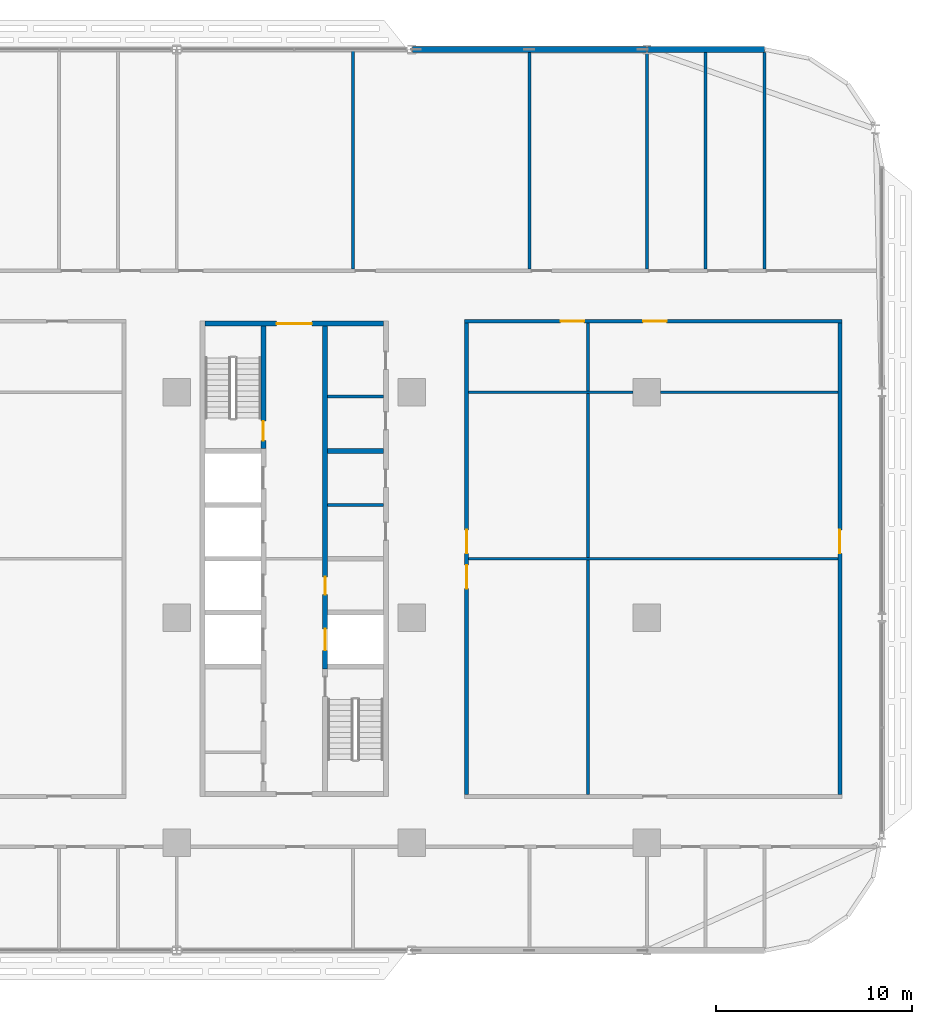
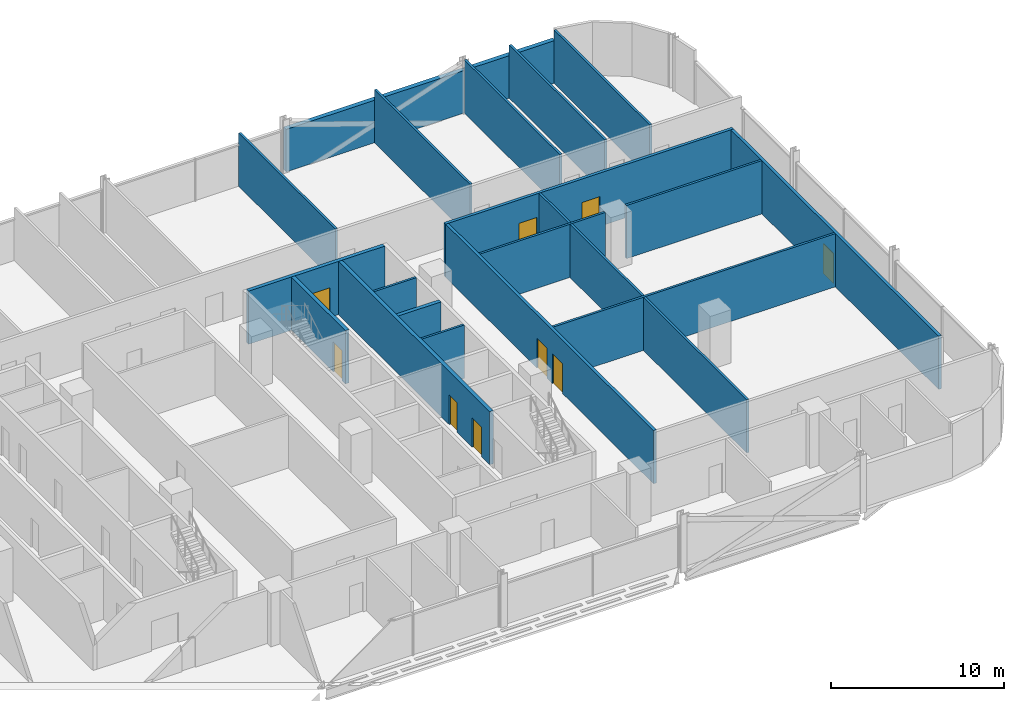
# One storey, part 17 of 29: 20 walls, 9 doors, 9 openings.
"""IFC4 building model written with IfcOpenShell, lengths in metres."""

from ifc_helpers import new_model, si_unit, direction, frame, frame_2d, origin, place, context, subcontext, project, spatial, rectangle, extrude, material, layer, layer_set, type_object, element, fill, save


model = new_model("IFC4")

# Units and contexts
model_context = context("Model", 3, precision=1e-05, world=origin(), true_north=direction((0.0, 1.0)))
body_context = subcontext(model_context, "Body", "Model", "MODEL_VIEW")
ifc_project = project(units=[si_unit("LENGTHUNIT", "METRE"), si_unit("AREAUNIT", "SQUARE_METRE"), si_unit("VOLUMEUNIT", "CUBIC_METRE"), si_unit("PLANEANGLEUNIT", "RADIAN"), si_unit("MASSUNIT", "GRAM", prefix="KILO")], contexts=[model_context])

# Site, building, storey
site_placement = place(None, origin())
site = spatial("IfcSite", under=ifc_project, at=site_placement, CompositionType="ELEMENT")
building_placement = place(site_placement, origin())
building = spatial("IfcBuilding", under=site, at=building_placement, Name="Mahtab Terrace Research Tower", CompositionType="ELEMENT")
storey_placement = place(building_placement, frame((0.0, 0.0, 109.39990234375)))
storey = spatial("IfcBuildingStorey", under=building, at=storey_placement, Name="L25", CompositionType="ELEMENT", Elevation=109.39990234375)

# Walls
ifc_material_1 = material(Name="Gypsum board partition")
ifc_layer_1 = layer(ifc_material_1, 0.14990234375)
ifc_layer_set_1 = layer_set([ifc_layer_1], Name="Core partition 150")
wall_type_1 = type_object("IfcWallType", Name="Core partition 150", PredefinedType="PARTITIONING", material=ifc_layer_set_1)
for number, where, z_axis, x_axis, name in (
    (1, (25.699951171875, 5.75, 0.0), (0.0, 0.0, 1.0), (1.0, 0.0, 0.0), "Core wall C pEL275"),
    (2, (25.699951171875, 11.27490234375, 0.0), (0.0, 0.0, 1.0), (1.0, 0.0, 0.0), "Core wall C pEN828"),
):
    element("IfcWall", number, at=place(storey_placement, frame(where, z_axis=z_axis, x_axis=x_axis)), inside=storey, type_object=wall_type_1, Name=name, PredefinedType="PARTITIONING", context=body_context, shape_type="SweptSolid", body=[
        extrude(rectangle(XDim=2.85009765625, YDim=0.14990234375, at=frame_2d((1.425048828125, 0.0))), origin(), (0.0, 0.0, 1.0), 3.760009765625),
    ])

# Wall, opening, door
ifc_material_2 = material(Name="Concrete C70/85", Category="concrete")
ifc_layer_2 = layer(ifc_material_2, 0.25)
ifc_layer_set_2 = layer_set([ifc_layer_2], Name="Core wall 250")
wall_type_2 = type_object("IfcWallType", Name="Core wall 250", PredefinedType="SOLIDWALL", material=ifc_layer_set_2)
wall_1_placement = place(storey_placement, frame((19.449951171875, 15.0, 0.0), z_axis=(0.0, 0.0, 1.0), x_axis=(1.0, 0.0, 0.0)))
wall_1 = element("IfcWall", 3, at=wall_1_placement, inside=storey, type_object=wall_type_2, Name="Core wall C endN", PredefinedType="SOLIDWALL", context=body_context, shape_type="SweptSolid", body=[
    extrude(rectangle(XDim=9.10009765625, YDim=0.25, at=frame_2d((4.550048828125, 0.0))), origin(), (0.0, 0.0, 1.0), 3.760009765625),
])
opening_1_placement = place(wall_1_placement, frame((3.64990234375, 0.0, 0.0)))
opening_1 = element("IfcOpeningElement", 4, at=opening_1_placement, cuts=wall_1, Name="Opening C-N1", PredefinedType="OPENING", context=body_context, shape_type="SweptSolid", body=[
    extrude(rectangle(XDim=1.800048828125, YDim=2.10009765625, at=frame_2d((0.89990234375, 1.050048828125))), frame((0.0, 0.135009765625, 0.0), z_axis=(0.0, -1.0, 0.0), x_axis=(1.0, 0.0, 0.0)), (0.0, 0.0, 1.0), 0.27001953125),
])
ifc_material_3 = material(Name="Steel fire door", Category="steel")
door_type_1 = type_object("IfcDoorType", Name="Lobby double door 1800x2100 1 HR", OperationType="DOUBLE_DOOR_SINGLE_SWING", PredefinedType="DOOR", material=ifc_material_3)
door_1_placement = place(opening_1_placement, origin())
door_1 = element("IfcDoor", 5, at=door_1_placement, inside=storey, type_object=door_type_1, Name="Core entrance door C N", OperationType="DOUBLE_DOOR_SINGLE_SWING", OverallHeight=2.10009765625, OverallWidth=1.800048828125, PredefinedType="DOOR", context=body_context, shape_type="SweptSolid", body=[
    extrude(rectangle(XDim=1.800048828125, YDim=2.10009765625, at=frame_2d((0.89990234375, 1.050048828125))), frame((0.0, 0.02490234375, 0.0), z_axis=(0.0, -1.0, 0.0), x_axis=(1.0, 0.0, 0.0)), (0.0, 0.0, 1.0), 0.050048828125),
])
fill(opening_1, door_1)

wall_2_placement = place(storey_placement, frame((22.425048828125, 14.875, 0.0), z_axis=(0.0, 0.0, 1.0), x_axis=(0.0, -1.0, 0.0)))
wall_2 = element("IfcWall", 6, at=wall_2_placement, inside=storey, type_object=wall_type_2, Name="Core wall C innerWN", PredefinedType="SOLIDWALL", context=body_context, shape_type="SweptSolid", body=[
    extrude(rectangle(XDim=6.25, YDim=0.25, at=frame_2d((3.125, 0.0))), origin(), (0.0, 0.0, 1.0), 3.760009765625),
])
opening_2_placement = place(wall_2_placement, frame((4.85009765625, 0.0, 0.0)))
opening_2 = element("IfcOpeningElement", 7, at=opening_2_placement, cuts=wall_2, Name="Opening C-ST3", PredefinedType="OPENING", context=body_context, shape_type="SweptSolid", body=[
    extrude(rectangle(XDim=1.0, YDim=2.10009765625, at=frame_2d((0.5, 1.050048828125))), frame((0.0, 0.135009765625, 0.0), z_axis=(0.0, -1.0, 0.0), x_axis=(1.0, 0.0, 0.0)), (0.0, 0.0, 1.0), 0.27001953125),
])
door_type_2 = type_object("IfcDoorType", Name="Stair door 1000x2100 1.5 HR", OperationType="NOTDEFINED", PredefinedType="DOOR", material=ifc_material_3)
door_2_placement = place(opening_2_placement, origin())
door_2 = element("IfcDoor", 8, at=door_2_placement, inside=storey, type_object=door_type_2, Name="Stair door ST3 L25", OperationType="SINGLE_SWING_RIGHT", OverallHeight=2.10009765625, OverallWidth=1.0, PredefinedType="DOOR", context=body_context, shape_type="SweptSolid", body=[
    extrude(rectangle(XDim=1.0, YDim=2.10009765625, at=frame_2d((0.5, 1.050048828125))), frame((0.0, 0.02490234375, 0.0), z_axis=(0.0, -1.0, 0.0), x_axis=(1.0, 0.0, 0.0)), (0.0, 0.0, 1.0), 0.050048828125),
])
fill(opening_2, door_2)

# Wall, openings, doors
wall_3_placement = place(storey_placement, frame((25.574951171875, 14.875, 0.0), z_axis=(0.0, 0.0, 1.0), x_axis=(0.0, -1.0, 0.0)))
wall_3 = element("IfcWall", 9, at=wall_3_placement, inside=storey, type_object=wall_type_2, Name="Core wall C innerELN", PredefinedType="SOLIDWALL", context=body_context, shape_type="SweptSolid", body=[
    extrude(rectangle(XDim=17.5, YDim=0.25, at=frame_2d((8.75, 0.0))), origin(), (0.0, 0.0, 1.0), 3.760009765625),
])
opening_3_placement = place(wall_3_placement, frame((15.449951171875, 0.0, 0.0)))
opening_3 = element("IfcOpeningElement", 10, at=opening_3_placement, cuts=wall_3, Name="Opening LD21-L25", PredefinedType="OPENING", context=body_context, shape_type="SweptSolid", body=[
    extrude(rectangle(XDim=1.10009765625, YDim=2.10009765625, at=frame_2d((0.550048828125, 1.050048828125))), frame((0.0, 0.135009765625, 0.0), z_axis=(0.0, -1.0, 0.0), x_axis=(1.0, 0.0, 0.0)), (0.0, 0.0, 1.0), 0.27001953125),
])
opening_4_placement = place(wall_3_placement, frame((12.800048828125, 0.0, 0.0)))
opening_4 = element("IfcOpeningElement", 11, at=opening_4_placement, cuts=wall_3, Name="Opening C-R1", PredefinedType="OPENING", context=body_context, shape_type="SweptSolid", body=[
    extrude(rectangle(XDim=0.89990234375, YDim=2.10009765625, at=frame_2d((0.449951171875, 1.050048828125))), frame((0.0, 0.135009765625, 0.0), z_axis=(0.0, -1.0, 0.0), x_axis=(1.0, 0.0, 0.0)), (0.0, 0.0, 1.0), 0.27001953125),
])
ifc_material_4 = material(Name="Stainless steel AISI 304", Category="steel")
door_type_3 = type_object("IfcDoorType", Name="Landing door 1100x2100", OperationType="DOUBLE_DOOR_SLIDING", PredefinedType="DOOR", material=ifc_material_4)
door_3_placement = place(opening_3_placement, origin())
door_3 = element("IfcDoor", 12, at=door_3_placement, inside=storey, type_object=door_type_3, Name="Landing door SV3 L25", OperationType="DOUBLE_DOOR_SLIDING", OverallHeight=2.10009765625, OverallWidth=1.10009765625, PredefinedType="DOOR", context=body_context, shape_type="SweptSolid", body=[
    extrude(rectangle(XDim=1.10009765625, YDim=2.10009765625, at=frame_2d((0.550048828125, 1.050048828125))), frame((0.0, 0.02490234375, 0.0), z_axis=(0.0, -1.0, 0.0), x_axis=(1.0, 0.0, 0.0)), (0.0, 0.0, 1.0), 0.050048828125),
])
fill(opening_3, door_3)
door_type_4 = type_object("IfcDoorType", Name="Room door 900x2100 1 HR", OperationType="NOTDEFINED", PredefinedType="DOOR", material=ifc_material_3)
door_4_placement = place(opening_4_placement, origin())
door_4 = element("IfcDoor", 13, at=door_4_placement, inside=storey, type_object=door_type_4, Name="Plant room door", OperationType="SINGLE_SWING_LEFT", OverallHeight=2.10009765625, OverallWidth=0.89990234375, PredefinedType="DOOR", context=body_context, shape_type="SweptSolid", body=[
    extrude(rectangle(XDim=0.89990234375, YDim=2.10009765625, at=frame_2d((0.449951171875, 1.050048828125))), frame((0.0, 0.02490234375, 0.0), z_axis=(0.0, -1.0, 0.0), x_axis=(1.0, 0.0, 0.0)), (0.0, 0.0, 1.0), 0.050048828125),
])
fill(opening_4, door_4)

# Walls
wall_4_placement = place(storey_placement, frame((25.699951171875, 8.5, 0.0), z_axis=(0.0, 0.0, 1.0), x_axis=(1.0, 0.0, 0.0)))
element("IfcWall", 14, at=wall_4_placement, inside=storey, type_object=wall_type_2, Name="Core wall C divE4", PredefinedType="SOLIDWALL", context=body_context, shape_type="SweptSolid", body=[
    extrude(rectangle(XDim=2.85009765625, YDim=0.25, at=frame_2d((1.425048828125, 0.0))), origin(), (0.0, 0.0, 1.0), 3.760009765625),
])
ifc_material_5 = material(Name="Black aluminium cladding panel", Category="aluminium")
ifc_layer_3 = layer(ifc_material_5, 0.300048828125)
ifc_layer_set_3 = layer_set([ifc_layer_3], Name="Opaque facade wall 300")
wall_type_3 = type_object("IfcWallType", Name="Opaque facade wall 300", PredefinedType="NOTDEFINED", material=ifc_layer_set_3)
wall_5_placement = place(storey_placement, frame((48.0, 29.0, 0.0), z_axis=(0.0, 0.0, 1.0), x_axis=(-1.0, 0.0, 0.0)))
element("IfcWall", 15, at=wall_5_placement, inside=storey, type_object=wall_type_3, Name="Opaque facade wall L25 N3", PredefinedType="NOTDEFINED", context=body_context, shape_type="SweptSolid", body=[
    extrude(rectangle(XDim=5.97900390625, YDim=0.300048828125, at=frame_2d((2.989501953125, 0.0))), origin(), (0.0, 0.0, 1.0), 3.003173828125),
])
wall_6_placement = place(storey_placement, frame((41.97900390625, 29.0, 0.0), z_axis=(0.0, 0.0, 1.0), x_axis=(-1.0, 0.0, 0.0)))
element("IfcWall", 16, at=wall_6_placement, inside=storey, type_object=wall_type_3, Name="Opaque facade wall L25 N4", PredefinedType="NOTDEFINED", context=body_context, shape_type="SweptSolid", body=[
    extrude(rectangle(XDim=11.9580078125, YDim=0.300048828125, at=frame_2d((5.97900390625, 0.0))), origin(), (0.0, 0.0, 1.0), 3.003173828125),
])

# Wall, openings, doors
ifc_material_6 = material(Name="Gypsum board corridor wall on steel studs", Category="steel")
ifc_layer_4 = layer(ifc_material_6, 0.199951171875)
ifc_layer_set_4 = layer_set([ifc_layer_4], Name="WALL CORRIDOR 200")
wall_type_4 = type_object("IfcWallType", Name="WALL CORRIDOR 200", PredefinedType="PARTITIONING", material=ifc_layer_set_4)
wall_7_placement = place(storey_placement, frame((32.699951171875, 15.125, 0.0), z_axis=(0.0, 0.0, 1.0), x_axis=(1.0, 0.0, 0.0)))
wall_7 = element("IfcWall", 17, at=wall_7_placement, inside=storey, type_object=wall_type_4, Name="L25-W025", PredefinedType="PARTITIONING", context=body_context, shape_type="SweptSolid", body=[
    extrude(rectangle(XDim=19.25, YDim=0.199951171875, at=frame_2d((9.625, 0.0))), origin(), (0.0, 0.0, 1.0), 3.760009765625),
])
opening_5_placement = place(wall_7_placement, frame((4.89990234375, 0.0, 0.0)))
opening_5 = element("IfcOpeningElement", 18, at=opening_5_placement, cuts=wall_7, Name="Opening L25-130", PredefinedType="OPENING", context=body_context, shape_type="SweptSolid", body=[
    extrude(rectangle(XDim=1.199951171875, YDim=2.10009765625, at=frame_2d((0.60009765625, 1.050048828125))), frame((0.0, 0.10986328125, 0.0), z_axis=(0.0, -1.0, 0.0), x_axis=(1.0, 0.0, 0.0)), (0.0, 0.0, 1.0), 0.219970703125),
])
opening_6_placement = place(wall_7_placement, frame((9.10009765625, 0.0, 0.0)))
opening_6 = element("IfcOpeningElement", 19, at=opening_6_placement, cuts=wall_7, Name="Opening L25-131", PredefinedType="OPENING", context=body_context, shape_type="SweptSolid", body=[
    extrude(rectangle(XDim=1.199951171875, YDim=2.10009765625, at=frame_2d((0.60009765625, 1.050048828125))), frame((0.0, 0.10986328125, 0.0), z_axis=(0.0, -1.0, 0.0), x_axis=(1.0, 0.0, 0.0)), (0.0, 0.0, 1.0), 0.219970703125),
])
ifc_material_7 = material(Name="Timber door leaf in steel frame", Category="steel")
door_type_5 = type_object("IfcDoorType", Name="DOOR 1200X2100 FD30S", OperationType="SINGLE_SWING_LEFT", PredefinedType="DOOR", material=ifc_material_7)
door_5_placement = place(opening_5_placement, origin())
door_5 = element("IfcDoor", 20, at=door_5_placement, inside=storey, type_object=door_type_5, Name="Door L25-130", OperationType="SINGLE_SWING_RIGHT", OverallHeight=2.10009765625, OverallWidth=1.199951171875, PredefinedType="DOOR", context=body_context, shape_type="SweptSolid", body=[
    extrude(rectangle(XDim=1.199951171875, YDim=2.10009765625, at=frame_2d((0.60009765625, 1.050048828125))), frame((0.0, 0.02490234375, 0.0), z_axis=(0.0, -1.0, 0.0), x_axis=(1.0, 0.0, 0.0)), (0.0, 0.0, 1.0), 0.050048828125),
])
fill(opening_5, door_5)
door_6_placement = place(opening_6_placement, origin())
door_6 = element("IfcDoor", 21, at=door_6_placement, inside=storey, type_object=door_type_5, Name="Door L25-131", OperationType="SINGLE_SWING_LEFT", OverallHeight=2.10009765625, OverallWidth=1.199951171875, PredefinedType="DOOR", context=body_context, shape_type="SweptSolid", body=[
    extrude(rectangle(XDim=1.199951171875, YDim=2.10009765625, at=frame_2d((0.60009765625, 1.050048828125))), frame((0.0, 0.02490234375, 0.0), z_axis=(0.0, -1.0, 0.0), x_axis=(1.0, 0.0, 0.0)), (0.0, 0.0, 1.0), 0.050048828125),
])
fill(opening_6, door_6)

wall_8_placement = place(storey_placement, frame((32.800048828125, -9.02490234375, 0.0), z_axis=(0.0, 0.0, 1.0), x_axis=(0.0, 1.0, 0.0)))
wall_8 = element("IfcWall", 22, at=wall_8_placement, inside=storey, type_object=wall_type_4, Name="L25-W055", PredefinedType="PARTITIONING", context=body_context, shape_type="SweptSolid", body=[
    extrude(rectangle(XDim=24.0498046875, YDim=0.199951171875, at=frame_2d((12.02490234375, 0.0))), origin(), (0.0, 0.0, 1.0), 3.760009765625),
])
opening_7_placement = place(wall_8_placement, frame((10.5, 0.0, 0.0)))
opening_7 = element("IfcOpeningElement", 23, at=opening_7_placement, cuts=wall_8, Name="Opening L25-120", PredefinedType="OPENING", context=body_context, shape_type="SweptSolid", body=[
    extrude(rectangle(XDim=1.199951171875, YDim=2.10009765625, at=frame_2d((0.60009765625, 1.050048828125))), frame((0.0, 0.10986328125, 0.0), z_axis=(0.0, -1.0, 0.0), x_axis=(1.0, 0.0, 0.0)), (0.0, 0.0, 1.0), 0.219970703125),
])
opening_8_placement = place(wall_8_placement, frame((12.300048828125, 0.0, 0.0)))
opening_8 = element("IfcOpeningElement", 24, at=opening_8_placement, cuts=wall_8, Name="Opening L25-125", PredefinedType="OPENING", context=body_context, shape_type="SweptSolid", body=[
    extrude(rectangle(XDim=1.199951171875, YDim=2.10009765625, at=frame_2d((0.60009765625, 1.050048828125))), frame((0.0, 0.10986328125, 0.0), z_axis=(0.0, -1.0, 0.0), x_axis=(1.0, 0.0, 0.0)), (0.0, 0.0, 1.0), 0.219970703125),
])
door_7_placement = place(opening_7_placement, origin())
door_7 = element("IfcDoor", 25, at=door_7_placement, inside=storey, type_object=door_type_5, Name="Door L25-120", OperationType="SINGLE_SWING_RIGHT", OverallHeight=2.10009765625, OverallWidth=1.199951171875, PredefinedType="DOOR", context=body_context, shape_type="SweptSolid", body=[
    extrude(rectangle(XDim=1.199951171875, YDim=2.10009765625, at=frame_2d((0.60009765625, 1.050048828125))), frame((0.0, 0.02490234375, 0.0), z_axis=(0.0, -1.0, 0.0), x_axis=(1.0, 0.0, 0.0)), (0.0, 0.0, 1.0), 0.050048828125),
])
fill(opening_7, door_7)
door_8_placement = place(opening_8_placement, origin())
door_8 = element("IfcDoor", 26, at=door_8_placement, inside=storey, type_object=door_type_5, Name="Door L25-125", OperationType="SINGLE_SWING_LEFT", OverallHeight=2.10009765625, OverallWidth=1.199951171875, PredefinedType="DOOR", context=body_context, shape_type="SweptSolid", body=[
    extrude(rectangle(XDim=1.199951171875, YDim=2.10009765625, at=frame_2d((0.60009765625, 1.050048828125))), frame((0.0, 0.02490234375, 0.0), z_axis=(0.0, -1.0, 0.0), x_axis=(1.0, 0.0, 0.0)), (0.0, 0.0, 1.0), 0.050048828125),
])
fill(opening_8, door_8)

# Wall, opening, door
wall_9_placement = place(storey_placement, frame((51.85009765625, -9.02490234375, 0.0), z_axis=(0.0, 0.0, 1.0), x_axis=(0.0, 1.0, 0.0)))
wall_9 = element("IfcWall", 27, at=wall_9_placement, inside=storey, type_object=wall_type_4, Name="L25-W065", PredefinedType="PARTITIONING", context=body_context, shape_type="SweptSolid", body=[
    extrude(rectangle(XDim=24.0498046875, YDim=0.199951171875, at=frame_2d((12.02490234375, 0.0))), origin(), (0.0, 0.0, 1.0), 3.760009765625),
])
opening_9_placement = place(wall_9_placement, frame((12.300048828125, 0.0, 0.0)))
opening_9 = element("IfcOpeningElement", 28, at=opening_9_placement, cuts=wall_9, Name="Opening L25-126", PredefinedType="OPENING", context=body_context, shape_type="SweptSolid", body=[
    extrude(rectangle(XDim=1.199951171875, YDim=2.10009765625, at=frame_2d((0.60009765625, 1.050048828125))), frame((0.0, 0.10986328125, 0.0), z_axis=(0.0, -1.0, 0.0), x_axis=(1.0, 0.0, 0.0)), (0.0, 0.0, 1.0), 0.219970703125),
])
door_9_placement = place(opening_9_placement, origin())
door_9 = element("IfcDoor", 29, at=door_9_placement, inside=storey, type_object=door_type_5, Name="Door L25-126", OperationType="SINGLE_SWING_RIGHT", OverallHeight=2.10009765625, OverallWidth=1.199951171875, PredefinedType="DOOR", context=body_context, shape_type="SweptSolid", body=[
    extrude(rectangle(XDim=1.199951171875, YDim=2.10009765625, at=frame_2d((0.60009765625, 1.050048828125))), frame((0.0, 0.02490234375, 0.0), z_axis=(0.0, -1.0, 0.0), x_axis=(1.0, 0.0, 0.0)), (0.0, 0.0, 1.0), 0.050048828125),
])
fill(opening_9, door_9)

# Walls
ifc_material_8 = material(Name="Gypsum board partition on steel studs", Category="steel")
ifc_layer_5 = layer(ifc_material_8, 0.14990234375)
ifc_layer_set_5 = layer_set([ifc_layer_5], Name="WALL PARTITION 150")
wall_type_5 = type_object("IfcWallType", Name="WALL PARTITION 150", PredefinedType="PARTITIONING", material=ifc_layer_set_5)
wall_10_placement = place(storey_placement, frame((32.89990234375, 3.0, 0.0), z_axis=(0.0, 0.0, 1.0), x_axis=(1.0, 0.0, 0.0)))
element("IfcWall", 30, at=wall_10_placement, inside=storey, type_object=wall_type_5, Name="L25-W016", PredefinedType="PARTITIONING", context=body_context, shape_type="SweptSolid", body=[
    extrude(rectangle(XDim=18.85009765625, YDim=0.14990234375, at=frame_2d((9.425048828125, 0.0))), origin(), (0.0, 0.0, 1.0), 3.760009765625),
])
wall_11_placement = place(storey_placement, frame((32.89990234375, 11.5, 0.0), z_axis=(0.0, 0.0, 1.0), x_axis=(1.0, 0.0, 0.0)))
element("IfcWall", 31, at=wall_11_placement, inside=storey, type_object=wall_type_5, Name="L25-W020", PredefinedType="PARTITIONING", context=body_context, shape_type="SweptSolid", body=[
    extrude(rectangle(XDim=8.400146484375, YDim=0.14990234375, at=frame_2d((4.2001953125, 0.0))), origin(), (0.0, 0.0, 1.0), 3.760009765625),
])
wall_12_placement = place(storey_placement, frame((42.699951171875, 11.5, 0.0), z_axis=(0.0, 0.0, 1.0), x_axis=(1.0, 0.0, 0.0)))
element("IfcWall", 32, at=wall_12_placement, inside=storey, type_object=wall_type_5, Name="L25-W021", PredefinedType="PARTITIONING", context=body_context, shape_type="SweptSolid", body=[
    extrude(rectangle(XDim=9.050048828125, YDim=0.14990234375, at=frame_2d((4.52490234375, 0.0))), origin(), (0.0, 0.0, 1.0), 3.760009765625),
])
wall_13_placement = place(storey_placement, frame((27.0, 17.800048828125, 0.0), z_axis=(0.0, 0.0, 1.0), x_axis=(0.0, 1.0, 0.0)))
element("IfcWall", 33, at=wall_13_placement, inside=storey, type_object=wall_type_5, Name="L25-W054", PredefinedType="PARTITIONING", context=body_context, shape_type="SweptSolid", body=[
    extrude(rectangle(XDim=11.175048828125, YDim=0.14990234375, at=frame_2d((5.58740234375, 0.0))), origin(), (0.0, 0.0, 1.0), 3.760009765625),
])
wall_14_placement = place(storey_placement, frame((36.0, 17.800048828125, 0.0), z_axis=(0.0, 0.0, 1.0), x_axis=(0.0, 1.0, 0.0)))
element("IfcWall", 34, at=wall_14_placement, inside=storey, type_object=wall_type_5, Name="L25-W057", PredefinedType="PARTITIONING", context=body_context, shape_type="SweptSolid", body=[
    extrude(rectangle(XDim=11.050048828125, YDim=0.14990234375, at=frame_2d((5.52490234375, 0.0))), origin(), (0.0, 0.0, 1.0), 3.760009765625),
])
wall_15_placement = place(storey_placement, frame((39.0, -9.02490234375, 0.0), z_axis=(0.0, 0.0, 1.0), x_axis=(0.0, 1.0, 0.0)))
element("IfcWall", 35, at=wall_15_placement, inside=storey, type_object=wall_type_5, Name="L25-W058", PredefinedType="PARTITIONING", context=body_context, shape_type="SweptSolid", body=[
    extrude(rectangle(XDim=24.0498046875, YDim=0.14990234375, at=frame_2d((12.02490234375, 0.0))), origin(), (0.0, 0.0, 1.0), 3.760009765625),
])
for number, where, z_axis, x_axis, name in (
    (36, (42.0, 17.800048828125, 0.0), (0.0, 0.0, 1.0), (0.0, 1.0, 0.0), "L25-W060"),
    (37, (45.0, 17.800048828125, 0.0), (0.0, 0.0, 1.0), (0.0, 1.0, 0.0), "L25-W062"),
):
    element("IfcWall", number, at=place(storey_placement, frame(where, z_axis=z_axis, x_axis=x_axis)), inside=storey, type_object=wall_type_5, Name=name, PredefinedType="PARTITIONING", context=body_context, shape_type="SweptSolid", body=[
        extrude(rectangle(XDim=11.050048828125, YDim=0.14990234375, at=frame_2d((5.52490234375, 0.0))), origin(), (0.0, 0.0, 1.0), 3.760009765625),
    ])
wall_16_placement = place(storey_placement, frame((48.0, 17.800048828125, 0.0), z_axis=(0.0, 0.0, 1.0), x_axis=(0.0, 1.0, 0.0)))
element("IfcWall", 38, at=wall_16_placement, inside=storey, type_object=wall_type_5, Name="L25-W064", PredefinedType="PARTITIONING", context=body_context, shape_type="SweptSolid", body=[
    extrude(rectangle(XDim=11.047119140625, YDim=0.14990234375, at=frame_2d((5.5234375, 0.0))), origin(), (0.0, 0.0, 1.0), 3.760009765625),
])

save(model, "model.ifc")
